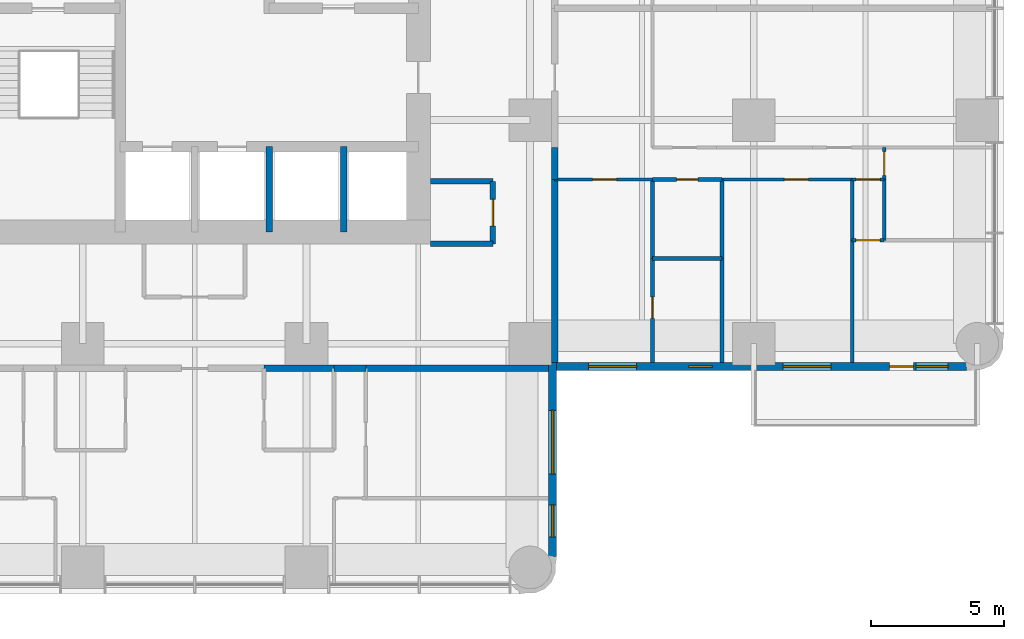
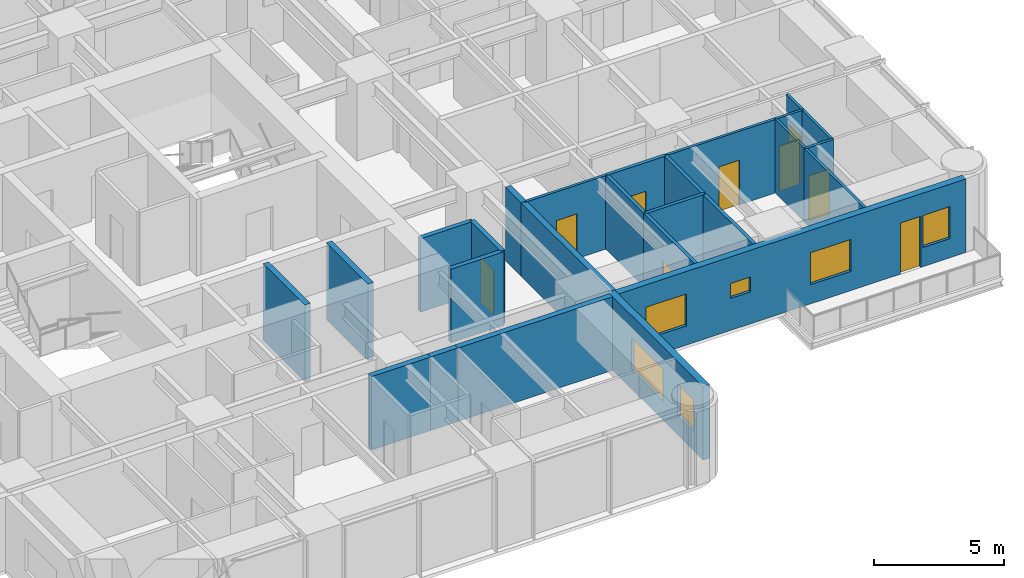
# One storey, part 9 of 15: 26 walls, 9 doors, 6 windows, 15 openings.
"""IFC4 building model written with IfcOpenShell, lengths in metres."""

from ifc_helpers import new_model, si_unit, direction, frame, frame_2d, origin, place, context, subcontext, project, spatial, rectangle, extrude, material, layer, layer_set, type_object, element, fill, save


model = new_model("IFC4")

# Units and contexts
model_context = context("Model", 3, precision=1e-05, world=origin(), true_north=direction((0.0, 1.0)))
body_context = subcontext(model_context, "Body", "Model", "MODEL_VIEW")
ifc_project = project(units=[si_unit("LENGTHUNIT", "METRE"), si_unit("AREAUNIT", "SQUARE_METRE"), si_unit("VOLUMEUNIT", "CUBIC_METRE"), si_unit("PLANEANGLEUNIT", "RADIAN"), si_unit("MASSUNIT", "GRAM", prefix="KILO")], contexts=[model_context])

# Site, building, storey
site_placement = place(None, origin())
site = spatial("IfcSite", under=ifc_project, at=site_placement, CompositionType="ELEMENT")
building_placement = place(site_placement, origin())
building = spatial("IfcBuilding", under=site, at=building_placement, Name="Torre Alcanfor", CompositionType="ELEMENT")
storey_placement = place(building_placement, frame((0.0, 0.0, 116.10009765625)))
storey = spatial("IfcBuildingStorey", under=building, at=storey_placement, Name="L29", CompositionType="ELEMENT", Elevation=116.10009765625)

# Walls
ifc_material_1 = material(Name="Concrete block masonry, hollow blocks NMX-C-404 9 MPa", Category="masonry")
ifc_layer_1 = layer(ifc_material_1, 0.25)
ifc_layer_set_1 = layer_set([ifc_layer_1], Name="Apartment entrance wall 250 EI 60")
wall_type_1 = type_object("IfcWallType", Name="Apartment entrance wall 250 EI 60", PredefinedType="PARTITIONING", material=ifc_layer_set_1)
wall_1_placement = place(storey_placement, frame((42.925048828125, 24.1708984375, 0.0), z_axis=(0.0, 0.0, 1.0), x_axis=(0.0, -1.0, 0.0)))
element("IfcWall", 1, at=wall_1_placement, inside=storey, type_object=wall_type_1, Name="Partition L29-CORR / L29-E2-HALL", PredefinedType="PARTITIONING", context=body_context, shape_type="SweptSolid", body=[
    extrude(rectangle(XDim=1.199951171875, YDim=0.25, at=frame_2d((0.60009765625, 0.0))), origin(), (0.0, 0.0, 1.0), 3.449951171875),
])
wall_2_placement = place(storey_placement, frame((42.925048828125, 22.970947265625, 0.0), z_axis=(0.0, 0.0, 1.0), x_axis=(0.0, -1.0, 0.0)))
element("IfcWall", 2, at=wall_2_placement, inside=storey, type_object=wall_type_1, Name="Partition L29-CORR / L29-E2-SERV", PredefinedType="PARTITIONING", context=body_context, shape_type="SweptSolid", body=[
    extrude(rectangle(XDim=6.870849609375, YDim=0.25, at=frame_2d((3.435546875, 0.0))), origin(), (0.0, 0.0, 1.0), 3.449951171875),
])
wall_3_placement = place(storey_placement, frame((34.62890625, 15.875, 0.0), z_axis=(0.0, 0.0, 1.0), x_axis=(-1.0, 0.0, 0.0)))
element("IfcWall", 3, at=wall_3_placement, inside=storey, type_object=wall_type_1, Name="Partition L29-CORR / L29-SX-BATH2", PredefinedType="PARTITIONING", context=body_context, shape_type="SweptSolid", body=[
    extrude(rectangle(XDim=2.62890625, YDim=0.25, at=frame_2d((1.314453125, 0.0))), origin(), (0.0, 0.0, 1.0), 3.449951171875),
])
wall_4_placement = place(storey_placement, frame((35.8291015625, 15.875, 0.0), z_axis=(0.0, 0.0, 1.0), x_axis=(-1.0, 0.0, 0.0)))
element("IfcWall", 4, at=wall_4_placement, inside=storey, type_object=wall_type_1, Name="Partition L29-CORR / L29-SX-LIVING", PredefinedType="PARTITIONING", context=body_context, shape_type="SweptSolid", body=[
    extrude(rectangle(XDim=1.2001953125, YDim=0.25, at=frame_2d((0.60009765625, 0.0))), origin(), (0.0, 0.0, 1.0), 3.449951171875),
])
wall_5_placement = place(storey_placement, frame((42.699951171875, 15.875, 0.0), z_axis=(0.0, 0.0, 1.0), x_axis=(-1.0, 0.0, 0.0)))
element("IfcWall", 5, at=wall_5_placement, inside=storey, type_object=wall_type_1, Name="Partition L29-CORR / L29-SX-BED2", PredefinedType="PARTITIONING", context=body_context, shape_type="SweptSolid", body=[
    extrude(rectangle(XDim=6.870849609375, YDim=0.25, at=frame_2d((3.435546875, 0.0))), origin(), (0.0, 0.0, 1.0), 3.449951171875),
])

# Wall, opening, door
ifc_material_2 = material(Name="Gypsum board on steel studs", Category="steel")
ifc_layer_2 = layer(ifc_material_2, 0.1201171875)
ifc_layer_set_2 = layer_set([ifc_layer_2], Name="Apartment partition 120")
wall_type_2 = type_object("IfcWallType", Name="Apartment partition 120", PredefinedType="PARTITIONING", material=ifc_layer_set_2)
wall_6_placement = place(storey_placement, frame((46.60009765625, 22.970947265625, 0.0), z_axis=(0.0, 0.0, 1.0), x_axis=(-1.0, 0.0, 0.0)))
wall_6 = element("IfcWall", 6, at=wall_6_placement, inside=storey, type_object=wall_type_2, Name="Partition L29-E2-HALL / L29-E2-SERV", PredefinedType="PARTITIONING", context=body_context, shape_type="SweptSolid", body=[
    extrude(rectangle(XDim=3.675048828125, YDim=0.1201171875, at=frame_2d((1.83740234375, 0.0))), origin(), (0.0, 0.0, 1.0), 3.449951171875),
])
opening_1_placement = place(wall_6_placement, frame((1.35009765625, 0.0, 0.0)))
opening_1 = element("IfcOpeningElement", 7, at=opening_1_placement, cuts=wall_6, Name="Opening D-R1", PredefinedType="OPENING", context=body_context, shape_type="SweptSolid", body=[
    extrude(rectangle(XDim=0.89990234375, YDim=2.10009765625, at=frame_2d((0.449951171875, 1.050048828125))), frame((0.0, 0.070068359375, 0.0), z_axis=(0.0, -1.0, 0.0), x_axis=(1.0, 0.0, 0.0)), (0.0, 0.0, 1.0), 0.14013671875),
])
ifc_material_3 = material(Name="Timber", Category="wood")
door_type_1 = type_object("IfcDoorType", Name="Internal door 900x2100", OperationType="SINGLE_SWING_LEFT", PredefinedType="DOOR", material=ifc_material_3)
door_1_placement = place(opening_1_placement, origin())
door_1 = element("IfcDoor", 8, at=door_1_placement, inside=storey, type_object=door_type_1, Name="Door L29-E2 serv", OperationType="SINGLE_SWING_LEFT", OverallHeight=2.10009765625, OverallWidth=0.89990234375, PredefinedType="DOOR", context=body_context, shape_type="SweptSolid", body=[
    extrude(rectangle(XDim=0.89990234375, YDim=2.10009765625, at=frame_2d((0.449951171875, 1.050048828125))), frame((0.0, 0.02490234375, 0.0), z_axis=(0.0, -1.0, 0.0), x_axis=(1.0, 0.0, 0.0)), (0.0, 0.0, 1.0), 0.050048828125),
])
fill(opening_1, door_1)

wall_7_placement = place(storey_placement, frame((54.10009765625, 22.970947265625, 0.0), z_axis=(0.0, 0.0, 1.0), x_axis=(-1.0, 0.0, 0.0)))
wall_7 = element("IfcWall", 9, at=wall_7_placement, inside=storey, type_object=wall_type_2, Name="Partition L29-E2-HALL / L29-E2-BED3", PredefinedType="PARTITIONING", context=body_context, shape_type="SweptSolid", body=[
    extrude(rectangle(XDim=4.900146484375, YDim=0.1201171875, at=frame_2d((2.4501953125, 0.0))), origin(), (0.0, 0.0, 1.0), 3.449951171875),
])
opening_2_placement = place(wall_7_placement, frame((1.64990234375, 0.0, 0.0)))
opening_2 = element("IfcOpeningElement", 10, at=opening_2_placement, cuts=wall_7, Name="Opening D-R1", PredefinedType="OPENING", context=body_context, shape_type="SweptSolid", body=[
    extrude(rectangle(XDim=0.89990234375, YDim=2.10009765625, at=frame_2d((0.449951171875, 1.050048828125))), frame((0.0, 0.070068359375, 0.0), z_axis=(0.0, -1.0, 0.0), x_axis=(1.0, 0.0, 0.0)), (0.0, 0.0, 1.0), 0.14013671875),
])
door_2_placement = place(opening_2_placement, origin())
door_2 = element("IfcDoor", 11, at=door_2_placement, inside=storey, type_object=door_type_1, Name="Door L29-E2 bed3", OperationType="SINGLE_SWING_LEFT", OverallHeight=2.10009765625, OverallWidth=0.89990234375, PredefinedType="DOOR", context=body_context, shape_type="SweptSolid", body=[
    extrude(rectangle(XDim=0.89990234375, YDim=2.10009765625, at=frame_2d((0.449951171875, 1.050048828125))), frame((0.0, 0.02490234375, 0.0), z_axis=(0.0, -1.0, 0.0), x_axis=(1.0, 0.0, 0.0)), (0.0, 0.0, 1.0), 0.050048828125),
])
fill(opening_2, door_2)

wall_8_placement = place(storey_placement, frame((55.300048828125, 22.970947265625, 0.0), z_axis=(0.0, 0.0, 1.0), x_axis=(-1.0, 0.0, 0.0)))
wall_8 = element("IfcWall", 12, at=wall_8_placement, inside=storey, type_object=wall_type_2, Name="Partition L29-E2-HALL / L29-E2-VEST", PredefinedType="PARTITIONING", context=body_context, shape_type="SweptSolid", body=[
    extrude(rectangle(XDim=1.199951171875, YDim=0.1201171875, at=frame_2d((0.60009765625, 0.0))), origin(), (0.0, 0.0, 1.0), 3.449951171875),
])
opening_3_placement = place(wall_8_placement, frame((0.14990234375, 0.0, 0.0)))
opening_3 = element("IfcOpeningElement", 13, at=opening_3_placement, cuts=wall_8, Name="Opening D-R1", PredefinedType="OPENING", context=body_context, shape_type="SweptSolid", body=[
    extrude(rectangle(XDim=0.89990234375, YDim=2.10009765625, at=frame_2d((0.449951171875, 1.050048828125))), frame((0.0, 0.070068359375, 0.0), z_axis=(0.0, -1.0, 0.0), x_axis=(1.0, 0.0, 0.0)), (0.0, 0.0, 1.0), 0.14013671875),
])
door_3_placement = place(opening_3_placement, origin())
door_3 = element("IfcDoor", 14, at=door_3_placement, inside=storey, type_object=door_type_1, Name="Door L29-E2 vest", OperationType="SINGLE_SWING_LEFT", OverallHeight=2.10009765625, OverallWidth=0.89990234375, PredefinedType="DOOR", context=body_context, shape_type="SweptSolid", body=[
    extrude(rectangle(XDim=0.89990234375, YDim=2.10009765625, at=frame_2d((0.449951171875, 1.050048828125))), frame((0.0, 0.02490234375, 0.0), z_axis=(0.0, -1.0, 0.0), x_axis=(1.0, 0.0, 0.0)), (0.0, 0.0, 1.0), 0.050048828125),
])
fill(opening_3, door_3)

wall_9_placement = place(storey_placement, frame((55.300048828125, 24.1708984375, 0.0), z_axis=(0.0, 0.0, 1.0), x_axis=(0.0, -1.0, 0.0)))
wall_9 = element("IfcWall", 15, at=wall_9_placement, inside=storey, type_object=wall_type_2, Name="Partition L29-E2-HALL / L29-E2-BED2", PredefinedType="PARTITIONING", context=body_context, shape_type="SweptSolid", body=[
    extrude(rectangle(XDim=1.199951171875, YDim=0.1201171875, at=frame_2d((0.60009765625, 0.0))), origin(), (0.0, 0.0, 1.0), 3.449951171875),
])
opening_4_placement = place(wall_9_placement, frame((0.15087890625, 0.0, 0.0)))
opening_4 = element("IfcOpeningElement", 16, at=opening_4_placement, cuts=wall_9, Name="Opening D-R1", PredefinedType="OPENING", context=body_context, shape_type="SweptSolid", body=[
    extrude(rectangle(XDim=0.89990234375, YDim=2.10009765625, at=frame_2d((0.449951171875, 1.050048828125))), frame((0.0, 0.070068359375, 0.0), z_axis=(0.0, -1.0, 0.0), x_axis=(1.0, 0.0, 0.0)), (0.0, 0.0, 1.0), 0.14013671875),
])
door_4_placement = place(opening_4_placement, origin())
door_4 = element("IfcDoor", 17, at=door_4_placement, inside=storey, type_object=door_type_1, Name="Door L29-E2 bed2", OperationType="SINGLE_SWING_LEFT", OverallHeight=2.10009765625, OverallWidth=0.89990234375, PredefinedType="DOOR", context=body_context, shape_type="SweptSolid", body=[
    extrude(rectangle(XDim=0.89990234375, YDim=2.10009765625, at=frame_2d((0.449951171875, 1.050048828125))), frame((0.0, 0.02490234375, 0.0), z_axis=(0.0, -1.0, 0.0), x_axis=(1.0, 0.0, 0.0)), (0.0, 0.0, 1.0), 0.050048828125),
])
fill(opening_4, door_4)

# Walls
wall_10_placement = place(storey_placement, frame((54.10009765625, 22.970947265625, 0.0), z_axis=(0.0, 0.0, 1.0), x_axis=(0.0, -1.0, 0.0)))
element("IfcWall", 18, at=wall_10_placement, inside=storey, type_object=wall_type_2, Name="Partition L29-E2-BED3 / L29-E2-VEST", PredefinedType="PARTITIONING", context=body_context, shape_type="SweptSolid", body=[
    extrude(rectangle(XDim=2.284912109375, YDim=0.1201171875, at=frame_2d((1.142578125, 0.0))), origin(), (0.0, 0.0, 1.0), 3.449951171875),
])
wall_11_placement = place(storey_placement, frame((54.10009765625, 20.68603515625, 0.0), z_axis=(0.0, 0.0, 1.0), x_axis=(0.0, -1.0, 0.0)))
element("IfcWall", 19, at=wall_11_placement, inside=storey, type_object=wall_type_2, Name="Partition L29-E2-BED3 / L29-E2-MASTER", PredefinedType="PARTITIONING", context=body_context, shape_type="SweptSolid", body=[
    extrude(rectangle(XDim=4.5859375, YDim=0.1201171875, at=frame_2d((2.29296875, 0.0))), origin(), (0.0, 0.0, 1.0), 3.449951171875),
])
wall_12_placement = place(storey_placement, frame((55.300048828125, 22.970947265625, 0.0), z_axis=(0.0, 0.0, 1.0), x_axis=(0.0, -1.0, 0.0)))
element("IfcWall", 20, at=wall_12_placement, inside=storey, type_object=wall_type_2, Name="Partition L29-E2-VEST / L29-E2-BED2", PredefinedType="PARTITIONING", context=body_context, shape_type="SweptSolid", body=[
    extrude(rectangle(XDim=2.284912109375, YDim=0.1201171875, at=frame_2d((1.142578125, 0.0))), origin(), (0.0, 0.0, 1.0), 3.449951171875),
])

# Wall, opening, door
wall_13_placement = place(storey_placement, frame((55.300048828125, 20.68603515625, 0.0), z_axis=(0.0, 0.0, 1.0), x_axis=(-1.0, 0.0, 0.0)))
wall_13 = element("IfcWall", 21, at=wall_13_placement, inside=storey, type_object=wall_type_2, Name="Partition L29-E2-VEST / L29-E2-MASTER", PredefinedType="PARTITIONING", context=body_context, shape_type="SweptSolid", body=[
    extrude(rectangle(XDim=1.199951171875, YDim=0.1201171875, at=frame_2d((0.60009765625, 0.0))), origin(), (0.0, 0.0, 1.0), 3.449951171875),
])
opening_5_placement = place(wall_13_placement, frame((0.14990234375, 0.0, 0.0)))
opening_5 = element("IfcOpeningElement", 22, at=opening_5_placement, cuts=wall_13, Name="Opening D-R1", PredefinedType="OPENING", context=body_context, shape_type="SweptSolid", body=[
    extrude(rectangle(XDim=0.89990234375, YDim=2.10009765625, at=frame_2d((0.449951171875, 1.050048828125))), frame((0.0, 0.070068359375, 0.0), z_axis=(0.0, -1.0, 0.0), x_axis=(1.0, 0.0, 0.0)), (0.0, 0.0, 1.0), 0.14013671875),
])
door_5_placement = place(opening_5_placement, frame((0.89990234375, 0.0, 0.0), z_axis=(0.0, 0.0, 1.0), x_axis=(-1.0, 0.0, 0.0)))
door_5 = element("IfcDoor", 23, at=door_5_placement, inside=storey, type_object=door_type_1, Name="Door L29-E2 master", OperationType="SINGLE_SWING_RIGHT", OverallHeight=2.10009765625, OverallWidth=0.89990234375, PredefinedType="DOOR", context=body_context, shape_type="SweptSolid", body=[
    extrude(rectangle(XDim=0.89990234375, YDim=2.10009765625, at=frame_2d((0.449951171875, 1.050048828125))), frame((0.0, 0.025146484375, 0.0), z_axis=(0.0, -1.0, 0.0), x_axis=(1.0, 0.0, 0.0)), (0.0, 0.0, 1.0), 0.050048828125),
])
fill(opening_5, door_5)

# Walls
ifc_material_4 = material(Name="Concrete f'c 70 MPa", Category="concrete")
ifc_layer_3 = layer(ifc_material_4, 0.25)
ifc_layer_set_3 = layer_set([ifc_layer_3], Name="Core shaft wall 250 f'c70")
wall_type_3 = type_object("IfcWallType", Name="Core shaft wall 250 f'c70", PredefinedType="SHEAR", material=ifc_layer_set_3)
for number, where, z_axis, x_axis, name in (
    (24, (32.199951171875, 21.0, 0.0), (0.0, 0.0, 1.0), (0.0, 1.0, 0.0), "Core wall X322S L29"),
    (25, (35.0, 21.0, 0.0), (0.0, 0.0, 1.0), (0.0, 1.0, 0.0), "Core wall X350S L29"),
):
    element("IfcWall", number, at=place(storey_placement, frame(where, z_axis=z_axis, x_axis=x_axis)), inside=storey, type_object=wall_type_3, Name=name, PredefinedType="SHEAR", context=body_context, shape_type="SweptSolid", body=[
        extrude(rectangle(XDim=3.199951171875, YDim=0.25, at=frame_2d((1.60009765625, 0.0))), origin(), (0.0, 0.0, 1.0), 3.599853515625),
    ])

# Wall, openings, windows
ifc_material_5 = material(Name="Limestone cladding", Category="masonry")
ifc_layer_4 = layer(ifc_material_5, 0.0400390625, Name="Facing")
ifc_material_6 = material(Name="Ventilated air cavity")
ifc_layer_5 = layer(ifc_material_6, 0.02001953125, ventilated=True, Name="Ventilated joint")
ifc_material_7 = material(Name="Mineral wool insulation", Category="insulation")
ifc_layer_6 = layer(ifc_material_7, 0.10009765625, Name="Insulation")
ifc_material_8 = material(Name="Concrete f'c 35 MPa", Category="concrete")
ifc_layer_7 = layer(ifc_material_8, 0.139892578125, Name="Backing")
ifc_layer_set_4 = layer_set([ifc_layer_4, ifc_layer_5, ifc_layer_6, ifc_layer_7], Name="External wall stone-clad 300")
wall_type_4 = type_object("IfcWallType", Name="External wall stone-clad 300", PredefinedType="SOLIDWALL", material=ifc_layer_set_4)
wall_14_placement = place(storey_placement, frame((42.85009765625, 8.800048828125, 0.0), z_axis=(0.0, 0.0, 1.0), x_axis=(0.0, 1.0, 0.0)))
wall_14 = element("IfcWall", 26, at=wall_14_placement, inside=storey, type_object=wall_type_4, Name="External wall L29 6", PredefinedType="SOLIDWALL", context=body_context, shape_type="SweptSolid", body=[
    extrude(rectangle(XDim=7.300048828125, YDim=0.300048828125, at=frame_2d((3.64990234375, 0.0))), origin(), (0.0, 0.0, 1.0), 3.449951171875),
])
opening_6_placement = place(wall_14_placement, frame((3.10009765625, 0.0, 0.89990234375)))
opening_6 = element("IfcOpeningElement", 27, at=opening_6_placement, cuts=wall_14, Name="Opening W1", PredefinedType="OPENING", context=body_context, shape_type="SweptSolid", body=[
    extrude(rectangle(XDim=2.39990234375, YDim=1.5, at=frame_2d((1.199951171875, 0.75))), frame((0.0, 0.159912109375, 0.0), z_axis=(0.0, -1.0, 0.0), x_axis=(1.0, 0.0, 0.0)), (0.0, 0.0, 1.0), 0.320068359375),
])
opening_7_placement = place(wall_14_placement, frame((0.75, 0.0, 0.89990234375)))
opening_7 = element("IfcOpeningElement", 28, at=opening_7_placement, cuts=wall_14, Name="Opening W4", PredefinedType="OPENING", context=body_context, shape_type="SweptSolid", body=[
    extrude(rectangle(XDim=1.199951171875, YDim=1.5, at=frame_2d((0.60009765625, 0.75))), frame((0.0, 0.159912109375, 0.0), z_axis=(0.0, -1.0, 0.0), x_axis=(1.0, 0.0, 0.0)), (0.0, 0.0, 1.0), 0.320068359375),
])
ifc_material_9 = material(Name="Aluminium frame with clear double glazing", Category="aluminium")
window_type_1 = type_object("IfcWindowType", Name="Window bedroom 1200x1500", PartitioningType="SINGLE_PANEL", PredefinedType="WINDOW", material=ifc_material_9)
window_1_placement = place(opening_7_placement, origin())
window_1 = element("IfcWindow", 29, at=window_1_placement, inside=storey, type_object=window_type_1, Name="Window W4 L29-S1", OverallHeight=1.5, OverallWidth=1.199951171875, PartitioningType="SINGLE_PANEL", PredefinedType="WINDOW", context=body_context, shape_type="SweptSolid", body=[
    extrude(rectangle(XDim=1.199951171875, YDim=1.5, at=frame_2d((0.60009765625, 0.75))), frame((0.0, 0.030029296875, 0.0), z_axis=(0.0, -1.0, 0.0), x_axis=(1.0, 0.0, 0.0)), (0.0, 0.0, 1.0), 0.06005859375),
])
fill(opening_7, window_1)
ifc_material_10 = material(Name="Aluminium frame with clear double glazing", Category="aluminium")
window_type_2 = type_object("IfcWindowType", Name="Window bedroom 2400x1500", PartitioningType="SINGLE_PANEL", PredefinedType="WINDOW", material=ifc_material_10)
window_2_placement = place(opening_6_placement, origin())
window_2 = element("IfcWindow", 30, at=window_2_placement, inside=storey, type_object=window_type_2, Name="Window W1 L29-S1", OverallHeight=1.5, OverallWidth=2.39990234375, PartitioningType="SINGLE_PANEL", PredefinedType="WINDOW", context=body_context, shape_type="SweptSolid", body=[
    extrude(rectangle(XDim=2.39990234375, YDim=1.5, at=frame_2d((1.199951171875, 0.75))), frame((0.0, 0.030029296875, 0.0), z_axis=(0.0, -1.0, 0.0), x_axis=(1.0, 0.0, 0.0)), (0.0, 0.0, 1.0), 0.06005859375),
])
fill(opening_6, window_2)

# Wall, openings, door, windows
wall_15_placement = place(storey_placement, frame((43.0, 15.949951171875, 0.0), z_axis=(0.0, 0.0, 1.0), x_axis=(1.0, 0.0, 0.0)))
wall_15 = element("IfcWall", 31, at=wall_15_placement, inside=storey, type_object=wall_type_4, Name="External wall L29 7", PredefinedType="SOLIDWALL", context=body_context, shape_type="SweptSolid", body=[
    extrude(rectangle(XDim=15.39990234375, YDim=0.300048828125, at=frame_2d((7.699951171875, 0.0))), origin(), (0.0, 0.0, 1.0), 3.449951171875),
])
opening_8_placement = place(wall_15_placement, frame((1.199951171875, 0.0, 0.89990234375)))
opening_8 = element("IfcOpeningElement", 32, at=opening_8_placement, cuts=wall_15, Name="Opening W2", PredefinedType="OPENING", context=body_context, shape_type="SweptSolid", body=[
    extrude(rectangle(XDim=1.800048828125, YDim=1.5, at=frame_2d((0.89990234375, 0.75))), frame((0.0, 0.159912109375, 0.0), z_axis=(0.0, -1.0, 0.0), x_axis=(1.0, 0.0, 0.0)), (0.0, 0.0, 1.0), 0.320068359375),
])
opening_9_placement = place(wall_15_placement, frame((4.949951171875, 0.0, 1.5)))
opening_9 = element("IfcOpeningElement", 33, at=opening_9_placement, cuts=wall_15, Name="Opening W3", PredefinedType="OPENING", context=body_context, shape_type="SweptSolid", body=[
    extrude(rectangle(XDim=0.89990234375, YDim=0.699951171875, at=frame_2d((0.449951171875, 0.35009765625))), frame((0.0, 0.159912109375, 0.0), z_axis=(0.0, -1.0, 0.0), x_axis=(1.0, 0.0, 0.0)), (0.0, 0.0, 1.0), 0.320068359375),
])
opening_10_placement = place(wall_15_placement, frame((8.5, 0.0, 0.89990234375)))
opening_10 = element("IfcOpeningElement", 34, at=opening_10_placement, cuts=wall_15, Name="Opening W2", PredefinedType="OPENING", context=body_context, shape_type="SweptSolid", body=[
    extrude(rectangle(XDim=1.800048828125, YDim=1.5, at=frame_2d((0.89990234375, 0.75))), frame((0.0, 0.159912109375, 0.0), z_axis=(0.0, -1.0, 0.0), x_axis=(1.0, 0.0, 0.0)), (0.0, 0.0, 1.0), 0.320068359375),
])
opening_11_placement = place(wall_15_placement, frame((12.5, 0.0, 0.0)))
opening_11 = element("IfcOpeningElement", 35, at=opening_11_placement, cuts=wall_15, Name="Opening D-B1", PredefinedType="OPENING", context=body_context, shape_type="SweptSolid", body=[
    extrude(rectangle(XDim=0.89990234375, YDim=2.39990234375, at=frame_2d((0.449951171875, 1.199951171875))), frame((0.0, 0.159912109375, 0.0), z_axis=(0.0, -1.0, 0.0), x_axis=(1.0, 0.0, 0.0)), (0.0, 0.0, 1.0), 0.320068359375),
])
opening_12_placement = place(wall_15_placement, frame((13.5, 0.0, 0.89990234375)))
opening_12 = element("IfcOpeningElement", 36, at=opening_12_placement, cuts=wall_15, Name="Opening W4", PredefinedType="OPENING", context=body_context, shape_type="SweptSolid", body=[
    extrude(rectangle(XDim=1.199951171875, YDim=1.5, at=frame_2d((0.60009765625, 0.75))), frame((0.0, 0.159912109375, 0.0), z_axis=(0.0, -1.0, 0.0), x_axis=(1.0, 0.0, 0.0)), (0.0, 0.0, 1.0), 0.320068359375),
])
ifc_material_11 = material(Name="Aluminium and glass", Category="aluminium")
door_type_2 = type_object("IfcDoorType", Name="Balcony door glazed 900x2400", OperationType="SINGLE_SWING_LEFT", PredefinedType="DOOR", material=ifc_material_11)
door_6_placement = place(opening_11_placement, origin())
door_6 = element("IfcDoor", 37, at=door_6_placement, inside=storey, type_object=door_type_2, Name="Balcony door L29-E2", OperationType="SINGLE_SWING_LEFT", OverallHeight=2.39990234375, OverallWidth=0.89990234375, PredefinedType="DOOR", context=body_context, shape_type="SweptSolid", body=[
    extrude(rectangle(XDim=0.89990234375, YDim=2.39990234375, at=frame_2d((0.449951171875, 1.199951171875))), frame((0.0, 0.02490234375, 0.0), z_axis=(0.0, -1.0, 0.0), x_axis=(1.0, 0.0, 0.0)), (0.0, 0.0, 1.0), 0.050048828125),
])
fill(opening_11, door_6)
ifc_material_12 = material(Name="Aluminium frame with clear double glazing", Category="aluminium")
window_type_3 = type_object("IfcWindowType", Name="Window bathroom 900x700", PartitioningType="SINGLE_PANEL", PredefinedType="WINDOW", material=ifc_material_12)
window_3_placement = place(opening_9_placement, origin())
window_3 = element("IfcWindow", 38, at=window_3_placement, inside=storey, type_object=window_type_3, Name="Window W3 L29-E2", OverallHeight=0.699951171875, OverallWidth=0.89990234375, PartitioningType="SINGLE_PANEL", PredefinedType="WINDOW", context=body_context, shape_type="SweptSolid", body=[
    extrude(rectangle(XDim=0.89990234375, YDim=0.699951171875, at=frame_2d((0.449951171875, 0.35009765625))), frame((0.0, 0.030029296875, 0.0), z_axis=(0.0, -1.0, 0.0), x_axis=(1.0, 0.0, 0.0)), (0.0, 0.0, 1.0), 0.06005859375),
])
fill(opening_9, window_3)
window_4_placement = place(opening_12_placement, origin())
window_4 = element("IfcWindow", 39, at=window_4_placement, inside=storey, type_object=window_type_1, Name="Window W4 L29-E2", OverallHeight=1.5, OverallWidth=1.199951171875, PartitioningType="SINGLE_PANEL", PredefinedType="WINDOW", context=body_context, shape_type="SweptSolid", body=[
    extrude(rectangle(XDim=1.199951171875, YDim=1.5, at=frame_2d((0.60009765625, 0.75))), frame((0.0, 0.030029296875, 0.0), z_axis=(0.0, -1.0, 0.0), x_axis=(1.0, 0.0, 0.0)), (0.0, 0.0, 1.0), 0.06005859375),
])
fill(opening_12, window_4)
ifc_material_13 = material(Name="Aluminium frame with clear double glazing", Category="aluminium")
window_type_4 = type_object("IfcWindowType", Name="Window bedroom 1800x1500", PartitioningType="SINGLE_PANEL", PredefinedType="WINDOW", material=ifc_material_13)
window_5_placement = place(opening_8_placement, origin())
window_5 = element("IfcWindow", 40, at=window_5_placement, inside=storey, type_object=window_type_4, Name="Window W2 L29-E2", OverallHeight=1.5, OverallWidth=1.800048828125, PartitioningType="SINGLE_PANEL", PredefinedType="WINDOW", context=body_context, shape_type="SweptSolid", body=[
    extrude(rectangle(XDim=1.800048828125, YDim=1.5, at=frame_2d((0.89990234375, 0.75))), frame((0.0, 0.030029296875, 0.0), z_axis=(0.0, -1.0, 0.0), x_axis=(1.0, 0.0, 0.0)), (0.0, 0.0, 1.0), 0.06005859375),
])
fill(opening_8, window_5)
window_6_placement = place(opening_10_placement, origin())
window_6 = element("IfcWindow", 41, at=window_6_placement, inside=storey, type_object=window_type_4, Name="Window W2 L29-E2", OverallHeight=1.5, OverallWidth=1.800048828125, PartitioningType="SINGLE_PANEL", PredefinedType="WINDOW", context=body_context, shape_type="SweptSolid", body=[
    extrude(rectangle(XDim=1.800048828125, YDim=1.5, at=frame_2d((0.89990234375, 0.75))), frame((0.0, 0.030029296875, 0.0), z_axis=(0.0, -1.0, 0.0), x_axis=(1.0, 0.0, 0.0)), (0.0, 0.0, 1.0), 0.06005859375),
])
fill(opening_10, window_6)

# Wall
ifc_material_14 = material(Name="Concrete block masonry, hollow blocks NMX-C-404 9 MPa", Category="masonry")
ifc_layer_8 = layer(ifc_material_14, 0.199951171875)
ifc_layer_set_5 = layer_set([ifc_layer_8], Name="Plant room wall 200 EI 60")
wall_type_5 = type_object("IfcWallType", Name="Plant room wall 200 EI 60", PredefinedType="PARTITIONING", material=ifc_layer_set_5)
wall_16_placement = place(storey_placement, frame((38.25, 20.550048828125, 0.0), z_axis=(0.0, 0.0, 1.0), x_axis=(1.0, 0.0, 0.0)))
element("IfcWall", 42, at=wall_16_placement, inside=storey, type_object=wall_type_5, Name="Partition L29-CORR / L29-G03", PredefinedType="PARTITIONING", context=body_context, shape_type="SweptSolid", body=[
    extrude(rectangle(XDim=2.35009765625, YDim=0.199951171875, at=frame_2d((1.175048828125, 0.0))), origin(), (0.0, 0.0, 1.0), 3.449951171875),
])

# Wall, opening, door
wall_17_placement = place(storey_placement, frame((40.60009765625, 20.550048828125, 0.0), z_axis=(0.0, 0.0, 1.0), x_axis=(0.0, 1.0, 0.0)))
wall_17 = element("IfcWall", 43, at=wall_17_placement, inside=storey, type_object=wall_type_5, Name="Partition L29-CORR / L29-G03", PredefinedType="PARTITIONING", context=body_context, shape_type="SweptSolid", body=[
    extrude(rectangle(XDim=2.349853515625, YDim=0.199951171875, at=frame_2d((1.1748046875, 0.0))), origin(), (0.0, 0.0, 1.0), 3.449951171875),
])
opening_13_placement = place(wall_17_placement, frame((0.675048828125, 0.0, 0.0)))
opening_13 = element("IfcOpeningElement", 44, at=opening_13_placement, cuts=wall_17, Name="Opening D-K1", PredefinedType="OPENING", context=body_context, shape_type="SweptSolid", body=[
    extrude(rectangle(XDim=1.0, YDim=2.10009765625, at=frame_2d((0.5, 1.050048828125))), frame((0.0, 0.10986328125, 0.0), z_axis=(0.0, -1.0, 0.0), x_axis=(1.0, 0.0, 0.0)), (0.0, 0.0, 1.0), 0.219970703125),
])
ifc_material_15 = material(Name="Galvanised steel sheet ASTM A653", Category="steel")
door_type_3 = type_object("IfcDoorType", Name="Core room door FD60 1000x2100", OperationType="SINGLE_SWING_LEFT", PredefinedType="DOOR", material=ifc_material_15)
door_7_placement = place(opening_13_placement, origin())
door_7 = element("IfcDoor", 45, at=door_7_placement, inside=storey, type_object=door_type_3, Name="Door L29-G03 refuse and recycling store", OperationType="SINGLE_SWING_LEFT", OverallHeight=2.10009765625, OverallWidth=1.0, PredefinedType="DOOR", context=body_context, shape_type="SweptSolid", body=[
    extrude(rectangle(XDim=1.0, YDim=2.10009765625, at=frame_2d((0.5, 1.050048828125))), frame((0.0, 0.02490234375, 0.0), z_axis=(0.0, -1.0, 0.0), x_axis=(1.0, 0.0, 0.0)), (0.0, 0.0, 1.0), 0.050048828125),
])
fill(opening_13, door_7)

# Wall
wall_18_placement = place(storey_placement, frame((40.60009765625, 22.89990234375, 0.0), z_axis=(0.0, 0.0, 1.0), x_axis=(-1.0, 0.0, 0.0)))
element("IfcWall", 46, at=wall_18_placement, inside=storey, type_object=wall_type_5, Name="Partition L29-CORR / L29-G03", PredefinedType="PARTITIONING", context=body_context, shape_type="SweptSolid", body=[
    extrude(rectangle(XDim=2.35009765625, YDim=0.199951171875, at=frame_2d((1.175048828125, 0.0))), origin(), (0.0, 0.0, 1.0), 3.449951171875),
])

# Wall, opening, door
ifc_material_16 = material(Name="Cement board on steel studs", Category="steel")
ifc_layer_9 = layer(ifc_material_16, 0.14990234375)
ifc_layer_set_6 = layer_set([ifc_layer_9], Name="Wet area partition 150")
wall_type_6 = type_object("IfcWallType", Name="Wet area partition 150", PredefinedType="PARTITIONING", material=ifc_layer_set_6)
wall_19_placement = place(storey_placement, frame((49.199951171875, 22.970947265625, 0.0), z_axis=(0.0, 0.0, 1.0), x_axis=(-1.0, 0.0, 0.0)))
wall_19 = element("IfcWall", 47, at=wall_19_placement, inside=storey, type_object=wall_type_6, Name="Partition L29-E2-HALL / L29-E2-BATH1", PredefinedType="PARTITIONING", context=body_context, shape_type="SweptSolid", body=[
    extrude(rectangle(XDim=2.599853515625, YDim=0.14990234375, at=frame_2d((1.2998046875, 0.0))), origin(), (0.0, 0.0, 1.0), 3.449951171875),
])
opening_14_placement = place(wall_19_placement, frame((0.89990234375, 0.0, 0.0)))
opening_14 = element("IfcOpeningElement", 48, at=opening_14_placement, cuts=wall_19, Name="Opening D-R2", PredefinedType="OPENING", context=body_context, shape_type="SweptSolid", body=[
    extrude(rectangle(XDim=0.800048828125, YDim=2.10009765625, at=frame_2d((0.39990234375, 1.050048828125))), frame((0.0, 0.0849609375, 0.0), z_axis=(0.0, -1.0, 0.0), x_axis=(1.0, 0.0, 0.0)), (0.0, 0.0, 1.0), 0.169921875),
])
ifc_material_17 = material(Name="Timber", Category="wood")
door_type_4 = type_object("IfcDoorType", Name="Bathroom door 800x2100", OperationType="SINGLE_SWING_LEFT", PredefinedType="DOOR", material=ifc_material_17)
door_8_placement = place(opening_14_placement, origin())
door_8 = element("IfcDoor", 49, at=door_8_placement, inside=storey, type_object=door_type_4, Name="Door L29-E2 bath1", OperationType="SINGLE_SWING_LEFT", OverallHeight=2.10009765625, OverallWidth=0.800048828125, PredefinedType="DOOR", context=body_context, shape_type="SweptSolid", body=[
    extrude(rectangle(XDim=0.800048828125, YDim=2.10009765625, at=frame_2d((0.39990234375, 1.050048828125))), frame((0.0, 0.02490234375, 0.0), z_axis=(0.0, -1.0, 0.0), x_axis=(1.0, 0.0, 0.0)), (0.0, 0.0, 1.0), 0.050048828125),
])
fill(opening_14, door_8)

# Wall
wall_20_placement = place(storey_placement, frame((46.60009765625, 22.970947265625, 0.0), z_axis=(0.0, 0.0, 1.0), x_axis=(0.0, -1.0, 0.0)))
element("IfcWall", 50, at=wall_20_placement, inside=storey, type_object=wall_type_6, Name="Partition L29-E2-SERV / L29-E2-BATH1", PredefinedType="PARTITIONING", context=body_context, shape_type="SweptSolid", body=[
    extrude(rectangle(XDim=2.970947265625, YDim=0.14990234375, at=frame_2d((1.4853515625, 0.0))), origin(), (0.0, 0.0, 1.0), 3.449951171875),
])

# Wall, opening, door
wall_21_placement = place(storey_placement, frame((46.60009765625, 20.0, 0.0), z_axis=(0.0, 0.0, 1.0), x_axis=(0.0, -1.0, 0.0)))
wall_21 = element("IfcWall", 51, at=wall_21_placement, inside=storey, type_object=wall_type_6, Name="Partition L29-E2-SERV / L29-E2-SBATH", PredefinedType="PARTITIONING", context=body_context, shape_type="SweptSolid", body=[
    extrude(rectangle(XDim=3.89990234375, YDim=0.14990234375, at=frame_2d((1.949951171875, 0.0))), origin(), (0.0, 0.0, 1.0), 3.449951171875),
])
opening_15_placement = place(wall_21_placement, frame((1.449951171875, 0.0, 0.0)))
opening_15 = element("IfcOpeningElement", 52, at=opening_15_placement, cuts=wall_21, Name="Opening D-R2", PredefinedType="OPENING", context=body_context, shape_type="SweptSolid", body=[
    extrude(rectangle(XDim=0.800048828125, YDim=2.10009765625, at=frame_2d((0.39990234375, 1.050048828125))), frame((0.0, 0.0849609375, 0.0), z_axis=(0.0, -1.0, 0.0), x_axis=(1.0, 0.0, 0.0)), (0.0, 0.0, 1.0), 0.169921875),
])
door_9_placement = place(opening_15_placement, origin())
door_9 = element("IfcDoor", 53, at=door_9_placement, inside=storey, type_object=door_type_4, Name="Door L29-E2 sbath", OperationType="SINGLE_SWING_LEFT", OverallHeight=2.10009765625, OverallWidth=0.800048828125, PredefinedType="DOOR", context=body_context, shape_type="SweptSolid", body=[
    extrude(rectangle(XDim=0.800048828125, YDim=2.10009765625, at=frame_2d((0.39990234375, 1.050048828125))), frame((0.0, 0.02490234375, 0.0), z_axis=(0.0, -1.0, 0.0), x_axis=(1.0, 0.0, 0.0)), (0.0, 0.0, 1.0), 0.050048828125),
])
fill(opening_15, door_9)

# Walls
wall_22_placement = place(storey_placement, frame((49.199951171875, 20.0, 0.0), z_axis=(0.0, 0.0, 1.0), x_axis=(-1.0, 0.0, 0.0)))
element("IfcWall", 54, at=wall_22_placement, inside=storey, type_object=wall_type_6, Name="Partition L29-E2-BATH1 / L29-E2-SBATH", PredefinedType="PARTITIONING", context=body_context, shape_type="SweptSolid", body=[
    extrude(rectangle(XDim=2.599853515625, YDim=0.14990234375, at=frame_2d((1.2998046875, 0.0))), origin(), (0.0, 0.0, 1.0), 3.449951171875),
])
wall_23_placement = place(storey_placement, frame((49.199951171875, 22.970947265625, 0.0), z_axis=(0.0, 0.0, 1.0), x_axis=(0.0, -1.0, 0.0)))
element("IfcWall", 55, at=wall_23_placement, inside=storey, type_object=wall_type_6, Name="Partition L29-E2-BATH1 / L29-E2-BED3", PredefinedType="PARTITIONING", context=body_context, shape_type="SweptSolid", body=[
    extrude(rectangle(XDim=2.970947265625, YDim=0.14990234375, at=frame_2d((1.4853515625, 0.0))), origin(), (0.0, 0.0, 1.0), 3.449951171875),
])
wall_24_placement = place(storey_placement, frame((49.199951171875, 20.0, 0.0), z_axis=(0.0, 0.0, 1.0), x_axis=(0.0, -1.0, 0.0)))
element("IfcWall", 56, at=wall_24_placement, inside=storey, type_object=wall_type_6, Name="Partition L29-E2-SBATH / L29-E2-BED3", PredefinedType="PARTITIONING", context=body_context, shape_type="SweptSolid", body=[
    extrude(rectangle(XDim=3.89990234375, YDim=0.14990234375, at=frame_2d((1.949951171875, 0.0))), origin(), (0.0, 0.0, 1.0), 3.449951171875),
])

save(model, "model.ifc")
